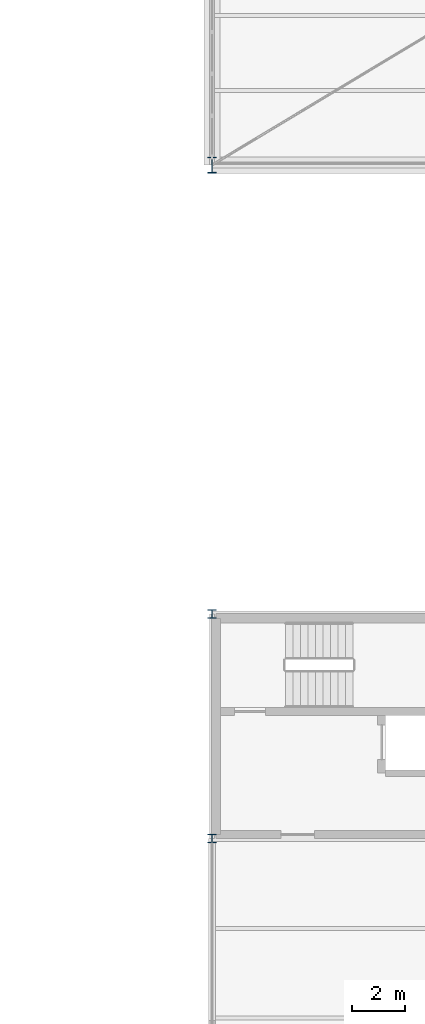
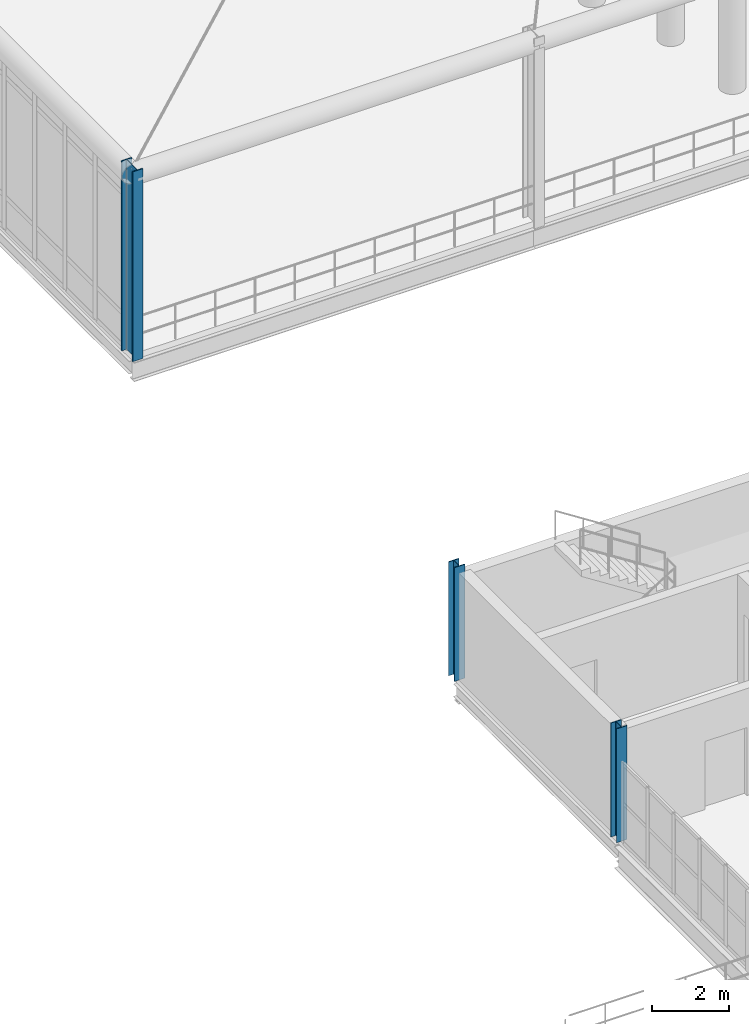
# One storey, part 8 of 101: 3 columns.
"""IFC4 building model written with IfcOpenShell, lengths in metres."""

import ifcopenshell
import ifcopenshell.guid

model = None  # the IFC model being written
_history = None  # IfcOwnerHistory: only IFC2X3 demands one
_inside = {}  # id of a spatial element -> (the spatial element, [elements in it])
_under = {}  # id of a project, library or spatial element -> (it, [spatial elements below it])
_declared = {}  # id of a project -> (the project, [libraries it declares])
_typed = {}  # id of a type object -> (the type object, [elements of that type])
_made_of = {}  # id of a material, layer set ... -> (it, [elements and type objects made of it])


def new_model(schema):
    """Start an empty IFC model of exactly this schema.

    Asked for "IFC4X3", IfcOpenShell would pick the latest addendum, in which some entities
    have other attributes; the version numbers below select the first issue.
    IFC2X3 requires an IfcOwnerHistory on every rooted entity: one is made here for all.
    """
    global model, _history
    if schema == "IFC4X3":
        model = ifcopenshell.file(schema_version=(4, 3, 0, 0))
    else:
        model = ifcopenshell.file(schema=schema)
    _inside.clear()
    _under.clear()
    _declared.clear()
    _typed.clear()
    _made_of.clear()
    _history = None
    if model.schema == "IFC2X3":
        org = make("IfcOrganization", Name="unknown")
        user = make(
            "IfcPersonAndOrganization",
            ThePerson=make("IfcPerson", FamilyName="unknown"),
            TheOrganization=org,
        )
        app = make(
            "IfcApplication",
            ApplicationDeveloper=org,
            Version="unknown",
            ApplicationFullName="unknown",
            ApplicationIdentifier="unknown",
        )
        _history = make(
            "IfcOwnerHistory",
            OwningUser=user,
            OwningApplication=app,
            ChangeAction="ADDED",
            CreationDate=0,
        )
    return model


def make(cls, **values):
    """One entity of the class cls with the attributes given. An attribute that is None is left unset."""
    return model.create_entity(
        cls, **{name: value for name, value in values.items() if value is not None}
    )


def rooted(cls, **values):
    """An entity with a GlobalId (a new one), such as an element, a storey or a relation."""
    return make(cls, GlobalId=ifcopenshell.guid.new(), OwnerHistory=_history, **values)


def si_unit(unit_type, name, prefix=None):
    """IfcSIUnit, for example si_unit("LENGTHUNIT", "METRE", prefix="MILLI")."""
    return make("IfcSIUnit", UnitType=unit_type, Prefix=prefix, Name=name)


def assignment(units):
    """IfcUnitAssignment: the units of a project."""
    return None if units is None else make("IfcUnitAssignment", Units=units)


def point(xyz):
    """IfcCartesianPoint."""
    return None if xyz is None else make("IfcCartesianPoint", Coordinates=xyz)


def direction(xyz):
    """IfcDirection."""
    return None if xyz is None else make("IfcDirection", DirectionRatios=xyz)


def frame(location, z_axis=None, x_axis=None):
    """IfcAxis2Placement3D, a coordinate frame: its origin and axes. An axis left out is left unset."""
    return make(
        "IfcAxis2Placement3D",
        Location=point(location),
        Axis=direction(z_axis),
        RefDirection=direction(x_axis),
    )


def frame_2d(location, x_axis=None):
    """IfcAxis2Placement2D, a coordinate frame in the plane: its origin and x axis."""
    return make(
        "IfcAxis2Placement2D", Location=point(location), RefDirection=direction(x_axis)
    )


def origin():
    """The frame at (0, 0, 0) with its axes left unset."""
    return frame((0.0, 0.0, 0.0))


def origin_2d():
    """The frame at (0, 0) in the plane with its x axis left unset."""
    return frame_2d((0.0, 0.0))


def place(relative_to, where):
    """IfcLocalPlacement: puts the frame where relative to a parent placement (None: the world)."""
    return make(
        "IfcLocalPlacement", PlacementRelTo=relative_to, RelativePlacement=where
    )


def context(
    kind, dimensions, precision=None, world=None, true_north=None, identifier=None
):
    """IfcGeometricRepresentationContext, for example the 3D "Model" context."""
    return make(
        "IfcGeometricRepresentationContext",
        ContextIdentifier=identifier,
        ContextType=kind,
        CoordinateSpaceDimension=dimensions,
        Precision=precision,
        WorldCoordinateSystem=world,
        TrueNorth=true_north,
    )


def subcontext(parent, identifier, kind, view, scale=None):
    """IfcGeometricRepresentationSubContext, for example "Body" below "Model"."""
    return make(
        "IfcGeometricRepresentationSubContext",
        ContextIdentifier=identifier,
        ContextType=kind,
        ParentContext=parent,
        TargetScale=scale,
        TargetView=view,
    )


def project(units=None, contexts=None):
    """IfcProject with its units and contexts."""
    return rooted(
        "IfcProject",
        Name="project",
        RepresentationContexts=contexts,
        UnitsInContext=assignment(units),
    )


def spatial(cls, under=None, at=None, **own):
    """A site, building, storey or space (cls), placed at a placement, below another one or the project."""
    s = rooted(cls, ObjectPlacement=at, **own)
    if under is not None:
        _under.setdefault(under.id(), (under, []))[1].append(s)
    return s


def profile(cls, at=None, kind="AREA", **sizes):
    """A parametric profile (cls). Its sizes go by their IFC names, for example OverallWidth=200.0."""
    return make(cls, ProfileType=kind, Position=at, **sizes)


def i_section(**sizes):
    """IfcIShapeProfileDef."""
    return profile("IfcIShapeProfileDef", **sizes)


def extrude(swept, where, along, depth):
    """IfcExtrudedAreaSolid: the profile swept, set in the frame where, extruded along a direction by depth."""
    return make(
        "IfcExtrudedAreaSolid",
        SweptArea=swept,
        Position=where,
        ExtrudedDirection=direction(along),
        Depth=depth,
    )


def shape(context_of_items, identifier, shape_type, items):
    """IfcShapeRepresentation: the items that make up one representation, for example the "Body"."""
    return make(
        "IfcShapeRepresentation",
        ContextOfItems=context_of_items,
        RepresentationIdentifier=identifier,
        RepresentationType=shape_type,
        Items=items,
    )


def material(Name=None, Category=None):
    """IfcMaterial."""
    return make("IfcMaterial", Name=Name, Category=Category)


def material_profile(
    of_material, cross_section, Name=None, Category=None, Priority=None
):
    """IfcMaterialProfile: a cross section and its material."""
    return make(
        "IfcMaterialProfile",
        Name=Name,
        Material=of_material,
        Profile=cross_section,
        Priority=Priority,
        Category=Category,
    )


def profile_set(profiles, Name=None, composite=None):
    """IfcMaterialProfileSet."""
    return make(
        "IfcMaterialProfileSet",
        Name=Name,
        MaterialProfiles=profiles,
        CompositeProfile=composite,
    )


def made_of(thing, what):
    """Note that an element or type object is made of a material, layer set ...; save() writes the relation."""
    if what is not None:
        _made_of.setdefault(what.id(), (what, []))[1].append(thing)
    return thing


def type_object(cls, material=None, **own):
    """A type object (cls), such as IfcWallType, which elements share."""
    return made_of(rooted(cls, **own), material)


def element(
    cls,
    number,
    at=None,
    inside=None,
    cuts=None,
    type_object=None,
    material=None,
    context=None,
    identifier="Body",
    shape_type=None,
    held_by="IfcProductDefinitionShape",
    body=None,
    shapes=None,
    **own,
):
    """One element of the class cls, such as IfcWall. Its Tag is "e" and its number.

    at: its placement. inside: the storey or other place that contains it. cuts: it is an
    opening in that element (IfcRelVoidsElement). A single representation is given by context,
    identifier, shape_type and body (its items); several are given by shapes. held_by: the class
    of the entity that holds the representations. save() writes the other relations.
    """
    e = rooted(cls, Tag="e%d" % number, ObjectPlacement=at, **own)
    if body is not None:
        shapes = [shape(context, identifier, shape_type, body)]
    if shapes is not None:
        e.Representation = make(held_by, Representations=shapes)
    if inside is not None:
        _inside.setdefault(inside.id(), (inside, []))[1].append(e)
    if cuts is not None:
        rooted(
            "IfcRelVoidsElement", RelatingBuildingElement=cuts, RelatedOpeningElement=e
        )
    if type_object is not None:
        _typed.setdefault(type_object.id(), (type_object, []))[1].append(e)
    return made_of(e, material)


def aggregate(whole, parts):
    """IfcRelAggregates: a whole, such as a stair, and the parts it consists of."""
    return rooted("IfcRelAggregates", RelatingObject=whole, RelatedObjects=parts)


def save(model, path):
    """Write the relations noted so far, then the file.

    IfcRelAggregates (storeys below a building ...), IfcRelContainedInSpatialStructure (elements
    in a storey), IfcRelDefinesByType, IfcRelAssociatesMaterial and IfcRelDeclares: one each for
    every whole, place, type object, material and project.
    """
    for whole, parts in _under.values():
        aggregate(whole, parts)
    for where, things in _inside.values():
        rooted(
            "IfcRelContainedInSpatialStructure",
            RelatedElements=things,
            RelatingStructure=where,
        )
    for kind, things in _typed.values():
        rooted("IfcRelDefinesByType", RelatedObjects=things, RelatingType=kind)
    for what, things in _made_of.values():
        rooted("IfcRelAssociatesMaterial", RelatedObjects=things, RelatingMaterial=what)
    for by, libraries in _declared.values():
        rooted("IfcRelDeclares", RelatingContext=by, RelatedDefinitions=libraries)
    model.write(path)


model = new_model("IFC4")

# Units and contexts
model_context = context("Model", 3, precision=1e-05, world=origin(), true_north=direction((0.0, 1.0)))
body_context = subcontext(model_context, "Body", "Model", "MODEL_VIEW")
ifc_project = project(units=[si_unit("LENGTHUNIT", "METRE"), si_unit("AREAUNIT", "SQUARE_METRE"), si_unit("VOLUMEUNIT", "CUBIC_METRE"), si_unit("PLANEANGLEUNIT", "RADIAN"), si_unit("MASSUNIT", "GRAM", prefix="KILO"), si_unit("THERMODYNAMICTEMPERATUREUNIT", "KELVIN"), si_unit("POWERUNIT", "WATT")], contexts=[model_context])

# Site, building, storey
site_placement = place(None, origin())
site = spatial("IfcSite", under=ifc_project, at=site_placement, CompositionType="ELEMENT")
building_placement = place(site_placement, origin())
building = spatial("IfcBuilding", under=site, at=building_placement, Name="Tembeka Court Mobility Hub", CompositionType="ELEMENT")
storey_placement = place(building_placement, frame((0.0, 0.0, 5.39990234375)))
storey = spatial("IfcBuildingStorey", under=building, at=storey_placement, Name="L01", CompositionType="ELEMENT", Elevation=5.39990234375)

# Columns
ifc_material = material(Name="Steel S355", Category="steel")
ifc_material_profile_1 = material_profile(ifc_material, i_section(OverallWidth=0.30908203125, OverallDepth=0.321044921875, WebThickness=0.013916015625, FlangeThickness=0.021728515625, FilletRadius=0.01513671875, at=origin_2d()), Name="UKC 305x305x137")
ifc_profile_set_1 = profile_set([ifc_material_profile_1], Name="Steel S355")
column_type_1 = type_object("IfcColumnType", Name="COL-C04", PredefinedType="COLUMN", material=ifc_profile_set_1)
for number, where, z_axis, x_axis, name in (
    (1, (116.39990234375, 38.39990234375, 0.0), (0.0, 0.0, 1.0), (1.0, 0.0, 0.0), "Column C04 (L01-159)"),
    (2, (116.39990234375, 46.800048828125, 0.0), (0.0, 0.0, 1.0), (1.0, 0.0, 0.0), "Column C04 (L01-160)"),
):
    element("IfcColumn", number, at=place(storey_placement, frame(where, z_axis=z_axis, x_axis=x_axis)), inside=storey, type_object=column_type_1, Name=name, PredefinedType="COLUMN", context=body_context, shape_type="SweptSolid", body=[
        extrude(i_section(OverallWidth=0.30908203125, OverallDepth=0.321044921875, WebThickness=0.013916015625, FlangeThickness=0.021728515625, FilletRadius=0.01513671875, at=origin_2d()), origin(), (0.0, 0.0, 1.0), 3.60009765625),
    ])
ifc_material_profile_2 = material_profile(ifc_material, i_section(OverallWidth=0.300048828125, OverallDepth=0.60009765625, WebThickness=0.015380859375, FlangeThickness=0.030029296875, FilletRadius=0.027099609375, at=origin_2d()), Name="HEB 600")
ifc_profile_set_2 = profile_set([ifc_material_profile_2], Name="Steel S355")
column_type_2 = type_object("IfcColumnType", Name="COL-C06", PredefinedType="COLUMN", material=ifc_profile_set_2)
column_placement = place(storey_placement, frame((116.39990234375, 63.60009765625, 0.0), z_axis=(0.0, 0.0, 1.0), x_axis=(1.0, 0.0, 0.0)))
element("IfcColumn", 3, at=column_placement, inside=storey, type_object=column_type_2, Name="Column C06 (L01-162)", PredefinedType="COLUMN", context=body_context, shape_type="SweptSolid", body=[
    extrude(i_section(OverallWidth=0.300048828125, OverallDepth=0.60009765625, WebThickness=0.015380859375, FlangeThickness=0.030029296875, FilletRadius=0.027099609375, at=origin_2d()), origin(), (0.0, 0.0, 1.0), 6.0),
])

save(model, "model.ifc")
